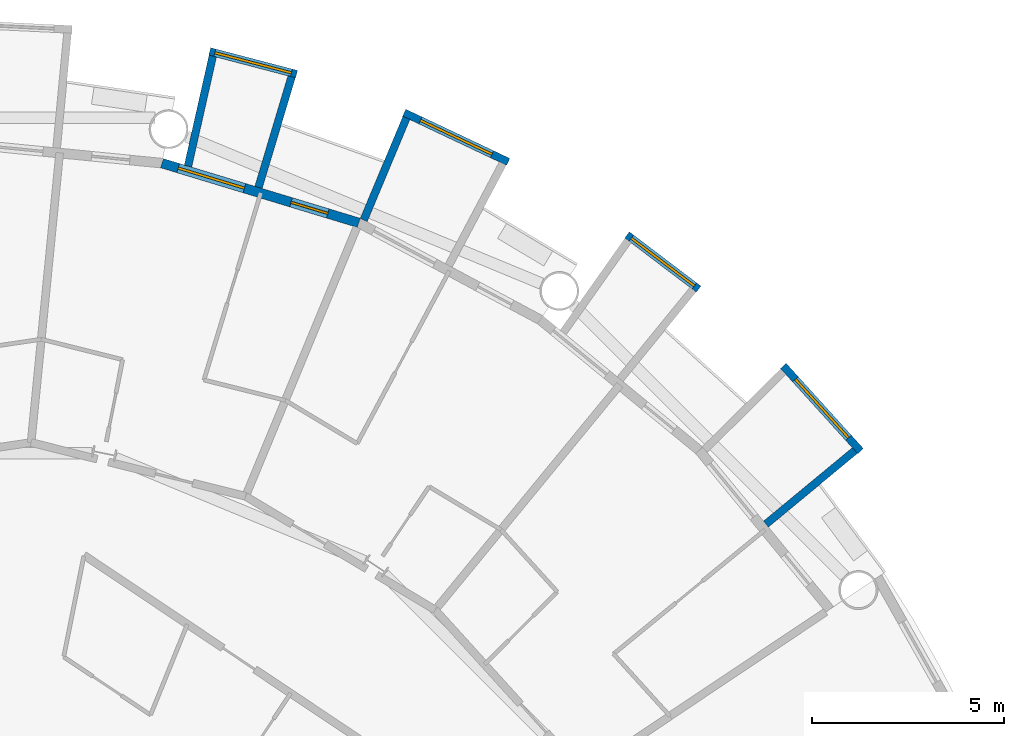
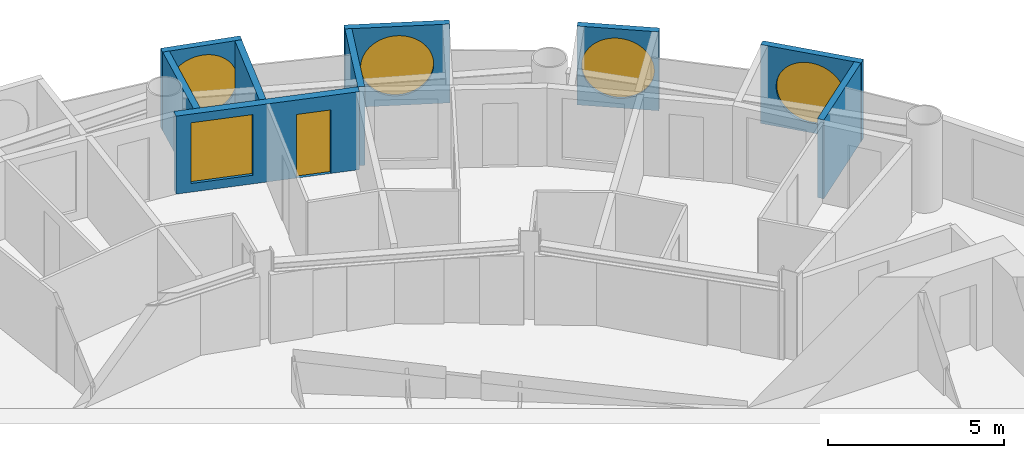
# One storey, part 22 of 26: 9 walls, 5 windows, 1 door, 6 openings.
"""IFC4 building model written with IfcOpenShell, lengths in metres."""

from ifc_helpers import new_model, si_unit, direction, frame, frame_2d, origin, place, context, subcontext, project, spatial, rectangle, circle, extrude, material, layer, layer_set, type_object, element, fill, save


model = new_model("IFC4")

# Units and contexts
model_context = context("Model", 3, precision=1e-05, world=origin(), true_north=direction((0.0, 1.0)))
body_context = subcontext(model_context, "Body", "Model", "MODEL_VIEW")
ifc_project = project(units=[si_unit("LENGTHUNIT", "METRE"), si_unit("AREAUNIT", "SQUARE_METRE"), si_unit("VOLUMEUNIT", "CUBIC_METRE"), si_unit("PLANEANGLEUNIT", "RADIAN"), si_unit("MASSUNIT", "GRAM", prefix="KILO")], contexts=[model_context])

# Site, building, storey
site_placement = place(None, origin())
site = spatial("IfcSite", under=ifc_project, at=site_placement, CompositionType="ELEMENT")
building_placement = place(site_placement, origin())
building = spatial("IfcBuilding", under=site, at=building_placement, Name="Maasbend Ring Residences", CompositionType="ELEMENT")
storey_placement = place(building_placement, frame((0.0, 0.0, 31.949951171875)))
storey = spatial("IfcBuildingStorey", under=building, at=storey_placement, Name="L08", CompositionType="ELEMENT", Elevation=31.949951171875)

# Wall, opening, window
ifc_material_1 = material(Name="Pale anodised aluminium panel", Category="aluminium")
ifc_layer_1 = layer(ifc_material_1, 0.199951171875)
ifc_layer_set_1 = layer_set([ifc_layer_1], Name="EW-BOX")
wall_type_1 = type_object("IfcWallType", Name="EW-BOX", PredefinedType="SOLIDWALL", material=ifc_layer_set_1)
wall_1_placement = place(storey_placement, frame((23.5029296875, 19.281982421875, -0.030029296875), z_axis=(0.0, 0.0, 1.0), x_axis=(-0.671506829416, 0.740998365753, 0.0)))
wall_1 = element("IfcWall", 1, at=wall_1_placement, inside=storey, type_object=wall_type_1, Name="Box front N02", PredefinedType="SOLIDWALL", context=body_context, shape_type="SweptSolid", body=[
    extrude(rectangle(XDim=2.9931640625, YDim=0.199951171875, at=frame_2d((1.49658203125, 0.0))), origin(), (0.0, 0.0, 1.0), 2.72998046875),
])
opening_1_placement = place(wall_1_placement, frame((0.45654296875, 0.0, 0.330078125)))
opening_1 = element("IfcOpeningElement", 2, at=opening_1_placement, cuts=wall_1, Name="Opening W-RD", PredefinedType="OPENING", context=body_context, shape_type="SweptSolid", body=[
    extrude(circle(Radius=1.0400390625, at=frame_2d((1.0400390625, 1.0400390625))), frame((0.0, 0.10986328125, 0.0), z_axis=(0.0, -1.0, 0.0), x_axis=(1.0, 0.0, 0.0)), (0.0, 0.0, 1.0), 0.219970703125),
])
ifc_material_2 = material(Name="Aluminium and clear glass", Category="aluminium")
window_type_1 = type_object("IfcWindowType", Name="W-RD", PartitioningType="SINGLE_PANEL", PredefinedType="WINDOW", material=ifc_material_2)
window_1_placement = place(opening_1_placement, origin())
window_1 = element("IfcWindow", 3, at=window_1_placement, inside=storey, type_object=window_type_1, Name="Round window N02", OverallHeight=2.080078125, OverallWidth=2.080078125, PartitioningType="SINGLE_PANEL", PredefinedType="WINDOW", context=body_context, shape_type="SweptSolid", body=[
    extrude(circle(Radius=1.0400390625, at=frame_2d((1.0400390625, 1.0400390625))), frame((0.0, 0.030029296875, 0.0), z_axis=(0.0, -1.0, 0.0), x_axis=(1.0, 0.0, 0.0)), (0.0, 0.0, 1.0), 0.06005859375),
])
fill(opening_1, window_1)

# Wall
wall_2_placement = place(storey_placement, frame((21.041015625, 17.384033203125, -0.030029296875), z_axis=(0.0, 0.0, 1.0), x_axis=(0.770784861449, 0.63709551667, 0.0)))
element("IfcWall", 4, at=wall_2_placement, inside=storey, type_object=wall_type_1, Name="Box side wall N02 left", PredefinedType="SOLIDWALL", context=body_context, shape_type="SweptSolid", body=[
    extrude(rectangle(XDim=3.005859375, YDim=0.199951171875, at=frame_2d((1.5029296875, 0.0))), origin(), (0.0, 0.0, 1.0), 2.72998046875),
])

# Wall, opening, window
wall_3_placement = place(storey_placement, frame((19.2890625, 23.4970703125, -0.030029296875), z_axis=(0.0, 0.0, 1.0), x_axis=(-0.796842165306, 0.60418752353, 0.0)))
wall_3 = element("IfcWall", 5, at=wall_3_placement, inside=storey, type_object=wall_type_1, Name="Box front N04", PredefinedType="SOLIDWALL", context=body_context, shape_type="SweptSolid", body=[
    extrude(rectangle(XDim=2.3369140625, YDim=0.199951171875, at=frame_2d((1.16845703125, 0.0))), origin(), (0.0, 0.0, 1.0), 2.72998046875),
])
opening_2_placement = place(wall_3_placement, frame((0.128173828125, 0.0, 0.330078125)))
opening_2 = element("IfcOpeningElement", 6, at=opening_2_placement, cuts=wall_3, Name="Opening W-RD", PredefinedType="OPENING", context=body_context, shape_type="SweptSolid", body=[
    extrude(circle(Radius=1.0400390625, at=frame_2d((1.0400390625, 1.0400390625))), frame((0.0, 0.10986328125, 0.0), z_axis=(0.0, -1.0, 0.0), x_axis=(1.0, 0.0, 0.0)), (0.0, 0.0, 1.0), 0.219970703125),
])
window_2_placement = place(opening_2_placement, origin())
window_2 = element("IfcWindow", 7, at=window_2_placement, inside=storey, type_object=window_type_1, Name="Round window N04", OverallHeight=2.080078125, OverallWidth=2.080078125, PartitioningType="SINGLE_PANEL", PredefinedType="WINDOW", context=body_context, shape_type="SweptSolid", body=[
    extrude(circle(Radius=1.0400390625, at=frame_2d((1.0400390625, 1.0400390625))), frame((0.0, 0.030029296875, 0.0), z_axis=(0.0, -1.0, 0.0), x_axis=(1.0, 0.0, 0.0)), (0.0, 0.0, 1.0), 0.06005859375),
])
fill(opening_2, window_2)

wall_4_placement = place(storey_placement, frame((14.3349609375, 26.80810546875, -0.030029296875), z_axis=(0.0, 0.0, 1.0), x_axis=(-0.904000060331, 0.427532327342, 0.0)))
wall_4 = element("IfcWall", 8, at=wall_4_placement, inside=storey, type_object=wall_type_1, Name="Box front N06", PredefinedType="SOLIDWALL", context=body_context, shape_type="SweptSolid", body=[
    extrude(rectangle(XDim=2.993408203125, YDim=0.199951171875, at=frame_2d((1.49658203125, 0.0))), origin(), (0.0, 0.0, 1.0), 2.72998046875),
])
opening_3_placement = place(wall_4_placement, frame((0.45654296875, 0.0, 0.330078125)))
opening_3 = element("IfcOpeningElement", 9, at=opening_3_placement, cuts=wall_4, Name="Opening W-RD", PredefinedType="OPENING", context=body_context, shape_type="SweptSolid", body=[
    extrude(circle(Radius=1.0400390625, at=frame_2d((1.0400390625, 1.0400390625))), frame((0.0, 0.10986328125, 0.0), z_axis=(0.0, -1.0, 0.0), x_axis=(1.0, 0.0, 0.0)), (0.0, 0.0, 1.0), 0.219970703125),
])
window_3_placement = place(opening_3_placement, origin())
window_3 = element("IfcWindow", 10, at=window_3_placement, inside=storey, type_object=window_type_1, Name="Round window N06", OverallHeight=2.080078125, OverallWidth=2.080078125, PartitioningType="SINGLE_PANEL", PredefinedType="WINDOW", context=body_context, shape_type="SweptSolid", body=[
    extrude(circle(Radius=1.0400390625, at=frame_2d((1.0400390625, 1.0400390625))), frame((0.0, 0.030029296875, 0.0), z_axis=(0.0, -1.0, 0.0), x_axis=(1.0, 0.0, 0.0)), (0.0, 0.0, 1.0), 0.06005859375),
])
fill(opening_3, window_3)

# Wall
wall_5_placement = place(storey_placement, frame((10.574951171875, 25.294921875, -0.030029296875), z_axis=(0.0, 0.0, 1.0), x_axis=(0.385697364644, 0.922625353492, 0.0)))
element("IfcWall", 11, at=wall_5_placement, inside=storey, type_object=wall_type_1, Name="Box side wall N06 right", PredefinedType="SOLIDWALL", context=body_context, shape_type="SweptSolid", body=[
    extrude(rectangle(XDim=2.88330078125, YDim=0.199951171875, at=frame_2d((1.441650390625, 0.0))), origin(), (0.0, 0.0, 1.0), 2.72998046875),
])

# Wall, opening, window
wall_6_placement = place(storey_placement, frame((8.827880859375, 29.090087890625, -0.030029296875), z_axis=(0.0, 0.0, 1.0), x_axis=(-0.967377102346, 0.253340762326, 0.0)))
wall_6 = element("IfcWall", 12, at=wall_6_placement, inside=storey, type_object=wall_type_1, Name="Box front N08", PredefinedType="SOLIDWALL", context=body_context, shape_type="SweptSolid", body=[
    extrude(rectangle(XDim=2.3359375, YDim=0.199951171875, at=frame_2d((1.16796875, 0.0))), origin(), (0.0, 0.0, 1.0), 2.72998046875),
])
opening_4_placement = place(wall_6_placement, frame((0.128173828125, 0.0, 0.330078125)))
opening_4 = element("IfcOpeningElement", 13, at=opening_4_placement, cuts=wall_6, Name="Opening W-RD", PredefinedType="OPENING", context=body_context, shape_type="SweptSolid", body=[
    extrude(circle(Radius=1.0400390625, at=frame_2d((1.0400390625, 1.0400390625))), frame((0.0, 0.10986328125, 0.0), z_axis=(0.0, -1.0, 0.0), x_axis=(1.0, 0.0, 0.0)), (0.0, 0.0, 1.0), 0.219970703125),
])
window_4_placement = place(opening_4_placement, origin())
window_4 = element("IfcWindow", 14, at=window_4_placement, inside=storey, type_object=window_type_1, Name="Round window N08", OverallHeight=2.080078125, OverallWidth=2.080078125, PartitioningType="SINGLE_PANEL", PredefinedType="WINDOW", context=body_context, shape_type="SweptSolid", body=[
    extrude(circle(Radius=1.0400390625, at=frame_2d((1.0400390625, 1.0400390625))), frame((0.0, 0.030029296875, 0.0), z_axis=(0.0, -1.0, 0.0), x_axis=(1.0, 0.0, 0.0)), (0.0, 0.0, 1.0), 0.06005859375),
])
fill(opening_4, window_4)

# Walls
wall_7_placement = place(storey_placement, frame((7.8369140625, 26.14404296875, -0.030029296875), z_axis=(0.0, 0.0, 1.0), x_axis=(0.287064767992, 0.957911174889, 0.0)))
element("IfcWall", 15, at=wall_7_placement, inside=storey, type_object=wall_type_1, Name="Box side wall N08 left", PredefinedType="SOLIDWALL", context=body_context, shape_type="SweptSolid", body=[
    extrude(rectangle(XDim=3.00634765625, YDim=0.199951171875, at=frame_2d((1.503173828125, 0.0))), origin(), (0.0, 0.0, 1.0), 2.72998046875),
])
wall_8_placement = place(storey_placement, frame((6.00390625, 26.699951171875, -0.030029296875), z_axis=(0.0, 0.0, 1.0), x_axis=(0.219609259383, 0.975587911566, 0.0)))
element("IfcWall", 16, at=wall_8_placement, inside=storey, type_object=wall_type_1, Name="Box side wall N08 right", PredefinedType="SOLIDWALL", context=body_context, shape_type="SweptSolid", body=[
    extrude(rectangle(XDim=2.9326171875, YDim=0.199951171875, at=frame_2d((1.46630859375, 0.0))), origin(), (0.0, 0.0, 1.0), 2.72998046875),
])

# Wall, openings, door, window
ifc_material_3 = material(Name="Aluminium clad insulated panel", Category="aluminium")
ifc_layer_2 = layer(ifc_material_3, 0.25)
ifc_layer_set_2 = layer_set([ifc_layer_2], Name="EW-GL")
wall_type_2 = type_object("IfcWallType", Name="EW-GL", PredefinedType="SOLIDWALL", material=ifc_layer_set_2)
wall_9_placement = place(storey_placement, frame((10.447021484375, 25.221923828125, 0.0), z_axis=(0.0, 0.0, 1.0), x_axis=(-0.956965678721, 0.290201119486, 0.0)))
wall_9 = element("IfcWall", 17, at=wall_9_placement, inside=storey, type_object=wall_type_2, Name="External wall N04", PredefinedType="SOLIDWALL", context=body_context, shape_type="SweptSolid", body=[
    extrude(rectangle(XDim=5.351318359375, YDim=0.25, at=frame_2d((2.67578125, 0.0))), origin(), (0.0, 0.0, 1.0), 2.699951171875),
])
opening_5_placement = place(wall_9_placement, frame((0.841064453125, 0.0, 0.0)))
opening_5 = element("IfcOpeningElement", 18, at=opening_5_placement, cuts=wall_9, Name="Opening D-LG", PredefinedType="OPENING", context=body_context, shape_type="SweptSolid", body=[
    extrude(rectangle(XDim=1.0, YDim=2.199951171875, at=frame_2d((0.5, 1.10009765625))), frame((0.0, 0.135009765625, 0.0), z_axis=(0.0, -1.0, 0.0), x_axis=(1.0, 0.0, 0.0)), (0.0, 0.0, 1.0), 0.27001953125),
])
opening_6_placement = place(wall_9_placement, frame((3.110595703125, 0.0, 0.300048828125)))
opening_6 = element("IfcOpeningElement", 19, at=opening_6_placement, cuts=wall_9, Name="Opening W-BX", PredefinedType="OPENING", context=body_context, shape_type="SweptSolid", body=[
    extrude(rectangle(XDim=1.800048828125, YDim=2.10009765625, at=frame_2d((0.89990234375, 1.050048828125))), frame((0.0, 0.135009765625, 0.0), z_axis=(0.0, -1.0, 0.0), x_axis=(1.0, 0.0, 0.0)), (0.0, 0.0, 1.0), 0.27001953125),
])
ifc_material_4 = material(Name="Aluminium and clear glass", Category="aluminium")
door_type = type_object("IfcDoorType", Name="D-LG", OperationType="SINGLE_SWING_LEFT", PredefinedType="DOOR", material=ifc_material_4)
door_placement = place(opening_5_placement, origin())
door = element("IfcDoor", 20, at=door_placement, inside=storey, type_object=door_type, Name="Loggia door N07", OperationType="SINGLE_SWING_LEFT", OverallHeight=2.199951171875, OverallWidth=1.0, PredefinedType="DOOR", context=body_context, shape_type="SweptSolid", body=[
    extrude(rectangle(XDim=1.0, YDim=2.199951171875, at=frame_2d((0.5, 1.10009765625))), frame((0.0, 0.02490234375, 0.0), z_axis=(0.0, -1.0, 0.0), x_axis=(1.0, 0.0, 0.0)), (0.0, 0.0, 1.0), 0.050048828125),
])
fill(opening_5, door)
ifc_material_5 = material(Name="Aluminium and clear glass", Category="aluminium")
window_type_2 = type_object("IfcWindowType", Name="W-BX", PartitioningType="DOUBLE_PANEL_VERTICAL", PredefinedType="WINDOW", material=ifc_material_5)
window_5_placement = place(opening_6_placement, origin())
window_5 = element("IfcWindow", 21, at=window_5_placement, inside=storey, type_object=window_type_2, Name="Window N08 room to box", OverallHeight=2.10009765625, OverallWidth=1.800048828125, PartitioningType="SINGLE_PANEL", PredefinedType="WINDOW", context=body_context, shape_type="SweptSolid", body=[
    extrude(rectangle(XDim=1.800048828125, YDim=2.10009765625, at=frame_2d((0.89990234375, 1.050048828125))), frame((0.0, 0.030029296875, 0.0), z_axis=(0.0, -1.0, 0.0), x_axis=(1.0, 0.0, 0.0)), (0.0, 0.0, 1.0), 0.06005859375),
])
fill(opening_6, window_5)

save(model, "model.ifc")
